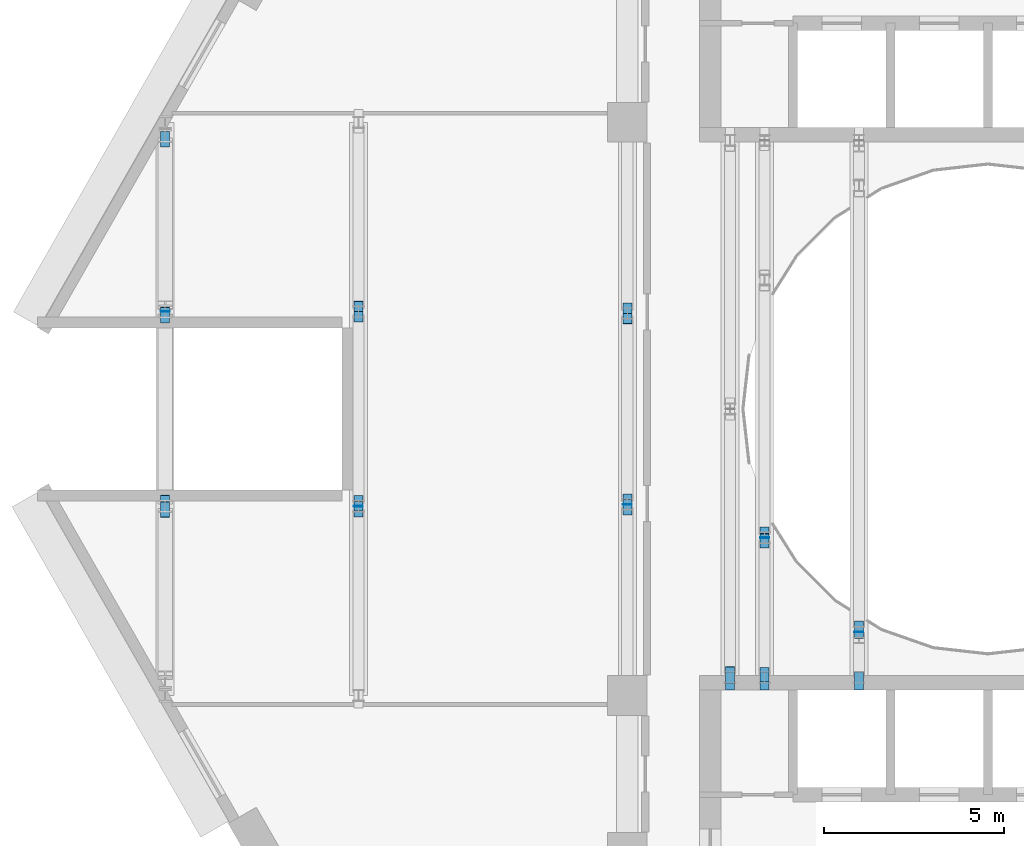
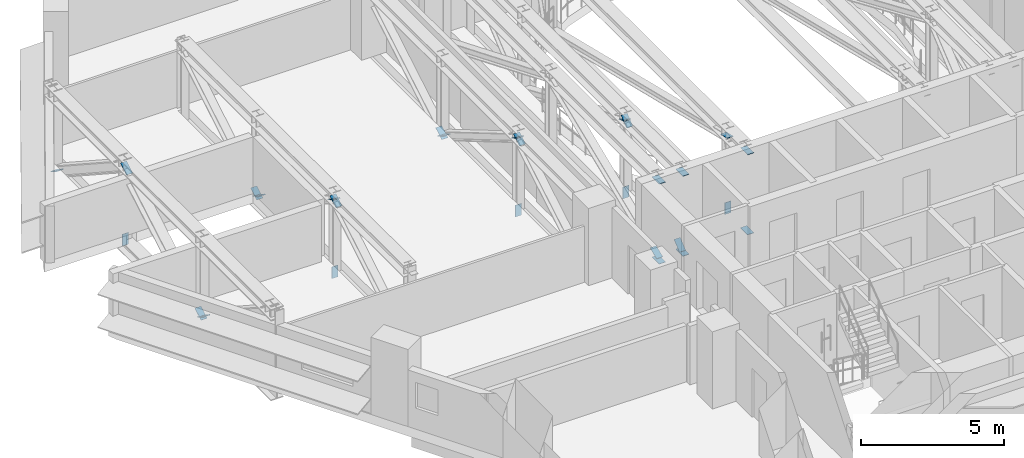
# One storey, part 12 of 18: 28 discrete accessories.
"""IFC4 building model written with IfcOpenShell, lengths in metres."""

from ifc_helpers import new_model, si_unit, direction, frame, origin, origin_2d, place, context, subcontext, project, spatial, rectangle, extrude, material, material_profile, profile_set, type_object, element, save


model = new_model("IFC4")

# Units and contexts
model_context = context("Model", 3, precision=1e-05, world=origin(), true_north=direction((0.0, 1.0)))
body_context = subcontext(model_context, "Body", "Model", "MODEL_VIEW")
ifc_project = project(units=[si_unit("LENGTHUNIT", "METRE"), si_unit("AREAUNIT", "SQUARE_METRE"), si_unit("VOLUMEUNIT", "CUBIC_METRE"), si_unit("PLANEANGLEUNIT", "RADIAN"), si_unit("MASSUNIT", "GRAM", prefix="KILO")], contexts=[model_context])

# Site, building, storey
site_placement = place(None, origin())
site = spatial("IfcSite", under=ifc_project, at=site_placement, CompositionType="ELEMENT")
building_placement = place(site_placement, origin())
building = spatial("IfcBuilding", under=site, at=building_placement, Name="Nakaniwa Court", CompositionType="ELEMENT")
storey_placement = place(building_placement, frame((0.0, 0.0, 38.10009765625)))
storey = spatial("IfcBuildingStorey", under=building, at=storey_placement, Name="L09", CompositionType="ELEMENT", Elevation=38.10009765625)

# Discrete accessories
ifc_material = material(Name="Steel Grade 350", Category="steel")
ifc_material_profile = material_profile(ifc_material, rectangle(XDim=0.25, YDim=0.02001953125, at=origin_2d()), Name="Truss end gusset plate 250x20")
ifc_profile_set = profile_set([ifc_material_profile], Name="Steel Grade 350")
discrete_accessory_type = type_object("IfcDiscreteAccessoryType", Name="Truss end gusset plate 250x20", PredefinedType="BRACKET", material=ifc_profile_set)
discrete_accessory_1_placement = place(storey_placement, frame((57.177001953125, 76.996826171875, -0.318115234375), z_axis=(0.0, 0.837493999191, -0.546446521921), x_axis=(-1.0, 0.0, 0.0)))
element("IfcDiscreteAccessory", 1, at=discrete_accessory_1_placement, inside=storey, type_object=discrete_accessory_type, Name="Gusset plate GU-001", PredefinedType="BRACKET", context=body_context, shape_type="SweptSolid", body=[
    extrude(rectangle(XDim=0.25, YDim=0.02001953125, at=origin_2d()), origin(), (0.0, 0.0, 1.0), 0.5),
])
for number, where, z_axis, x_axis, name in (
    (2, (57.177001953125, 77.60693359375, -0.324462890625), (0.0, -0.863637130858, -0.504113981361), (1.0, 0.0, 0.0), "Gusset plate GU-002"),
    (3, (57.177001953125, 82.39306640625, 2.46923828125), (0.0, 0.863637130858, 0.504113981361), (-1.0, 0.0, 0.0), "Gusset plate GU-003"),
):
    element("IfcDiscreteAccessory", number, at=place(storey_placement, frame(where, z_axis=z_axis, x_axis=x_axis)), inside=storey, type_object=discrete_accessory_type, Name=name, PredefinedType="BRACKET", context=body_context, shape_type="SweptSolid", body=[
        extrude(rectangle(XDim=0.25, YDim=0.02001953125, at=origin_2d()), origin(), (0.0, 0.0, 1.0), 0.499755859375),
    ])
for number, where, z_axis, x_axis, name in (
    (4, (57.177001953125, 87.2666015625, -0.318115234375), (0.0, 0.837493999191, -0.546446521921), (-1.0, 0.0, 0.0), "Gusset plate GU-004"),
    (5, (57.177001953125, 82.699951171875, -0.25), (0.0, 0.0, -1.0), (1.0, 0.0, 0.0), "Gusset plate GU-005"),
    (6, (62.5419921875, 77.010498046875, 2.458251953125), (0.0, 0.859211134108, 0.51162117531), (-1.0, 0.0, 0.0), "Gusset plate GU-008"),
    (7, (62.5419921875, 77.59033203125, 2.459716796875), (0.0, -0.865738136993, 0.500497230918), (1.0, 0.0, 0.0), "Gusset plate GU-009"),
    (8, (62.5419921875, 82.40966796875, -0.324951171875), (0.0, 0.865738136993, -0.500497230918), (-1.0, 0.0, 0.0), "Gusset plate GU-010"),
    (9, (62.5419921875, 82.989501953125, -0.323486328125), (0.0, -0.859425715003, -0.511260638414), (1.0, 0.0, 0.0), "Gusset plate GU-011"),
    (10, (62.5419921875, 77.300048828125, -0.25), (0.0, 0.0, -1.0), (1.0, 0.0, 0.0), "Gusset plate GU-013"),
    (11, (70.0, 77.060302734375, 2.458740234375), (0.0, 0.861431643399, 0.507873531256), (-1.0, 0.0, 0.0), "Gusset plate GU-014"),
    (12, (70.0, 77.6396484375, 2.458740234375), (0.0, -0.861431643399, 0.507873531256), (1.0, 0.0, 0.0), "Gusset plate GU-015"),
    (13, (70.0, 82.3603515625, -0.323974609375), (0.0, 0.861431643399, -0.507873531256), (-1.0, 0.0, 0.0), "Gusset plate GU-016"),
    (14, (70.0, 82.939697265625, -0.323974609375), (0.0, -0.861431643399, -0.507873531256), (1.0, 0.0, 0.0), "Gusset plate GU-017"),
    (15, (70.0, 77.35009765625, -0.25), (0.0, 0.0, -1.0), (1.0, 0.0, 0.0), "Gusset plate GU-018"),
    (16, (72.85009765625, 72.699951171875, -0.64501953125), (0.0, -1.0, 0.0), (1.0, 0.0, 0.0), "Gusset plate GU-019"),
    (17, (72.85009765625, 72.699951171875, 2.77978515625), (0.0, -1.0, 0.0), (1.0, 0.0, 0.0), "Gusset plate GU-021"),
):
    element("IfcDiscreteAccessory", number, at=place(storey_placement, frame(where, z_axis=z_axis, x_axis=x_axis)), inside=storey, type_object=discrete_accessory_type, Name=name, PredefinedType="BRACKET", context=body_context, shape_type="SweptSolid", body=[
        extrude(rectangle(XDim=0.25, YDim=0.02001953125, at=origin_2d()), origin(), (0.0, 0.0, 1.0), 0.5),
    ])
discrete_accessory_2_placement = place(storey_placement, frame((72.85009765625, 72.84912109375, -0.343017578125), z_axis=(0.0, -0.92475901499, -0.380553234378), x_axis=(1.0, 0.0, 0.0)))
element("IfcDiscreteAccessory", 18, at=discrete_accessory_2_placement, inside=storey, type_object=discrete_accessory_type, Name="Gusset plate GU-023", PredefinedType="BRACKET", context=body_context, shape_type="SweptSolid", body=[
    extrude(rectangle(XDim=0.25, YDim=0.02001953125, at=origin_2d()), origin(), (0.0, 0.0, 1.0), 0.499755859375),
])
for number, where, z_axis, x_axis, name in (
    (19, (73.807861328125, 72.699951171875, -0.64501953125), (0.0, -1.0, 0.0), (1.0, 0.0, 0.0), "Gusset plate GU-028"),
    (20, (73.807861328125, 72.699951171875, 2.77978515625), (0.0, -1.0, 0.0), (1.0, 0.0, 0.0), "Gusset plate GU-030"),
    (21, (73.807861328125, 72.826171875, -0.3046875), (0.0, -0.771055566334, -0.636767864787), (1.0, 0.0, 0.0), "Gusset plate GU-032"),
):
    element("IfcDiscreteAccessory", number, at=place(storey_placement, frame(where, z_axis=z_axis, x_axis=x_axis)), inside=storey, type_object=discrete_accessory_type, Name=name, PredefinedType="BRACKET", context=body_context, shape_type="SweptSolid", body=[
        extrude(rectangle(XDim=0.25, YDim=0.02001953125, at=origin_2d()), origin(), (0.0, 0.0, 1.0), 0.5),
    ])
for number, where, z_axis, x_axis, name in (
    (22, (73.807861328125, 76.148681640625, 2.439453125), (0.0, 0.771253454842, 0.636528167794), (-1.0, 0.0, 0.0), "Gusset plate GU-033"),
    (23, (73.807861328125, 76.723388671875, 2.4755859375), (0.0, -0.918715241067, 0.394920632318), (1.0, 0.0, 0.0), "Gusset plate GU-034"),
):
    element("IfcDiscreteAccessory", number, at=place(storey_placement, frame(where, z_axis=z_axis, x_axis=x_axis)), inside=storey, type_object=discrete_accessory_type, Name=name, PredefinedType="BRACKET", context=body_context, shape_type="SweptSolid", body=[
        extrude(rectangle(XDim=0.25, YDim=0.02001953125, at=origin_2d()), origin(), (0.0, 0.0, 1.0), 0.500244140625),
    ])
for number, where, z_axis, x_axis, name in (
    (24, (73.807861328125, 76.425048828125, -0.25), (0.0, 0.0, -1.0), (1.0, 0.0, 0.0), "Gusset plate GU-038"),
    (25, (76.425048828125, 72.699951171875, -0.64501953125), (0.0, -1.0, 0.0), (1.0, 0.0, 0.0), "Gusset plate GU-040"),
    (26, (76.425048828125, 72.699951171875, 2.77978515625), (0.0, -1.0, 0.0), (1.0, 0.0, 0.0), "Gusset plate GU-042"),
):
    element("IfcDiscreteAccessory", number, at=place(storey_placement, frame(where, z_axis=z_axis, x_axis=x_axis)), inside=storey, type_object=discrete_accessory_type, Name=name, PredefinedType="BRACKET", context=body_context, shape_type="SweptSolid", body=[
        extrude(rectangle(XDim=0.25, YDim=0.02001953125, at=origin_2d()), origin(), (0.0, 0.0, 1.0), 0.5),
    ])
discrete_accessory_3_placement = place(storey_placement, frame((76.425048828125, 74.114013671875, 2.49951171875), z_axis=(0.0, -0.971646374327, 0.236438836186), x_axis=(1.0, 0.0, 0.0)))
element("IfcDiscreteAccessory", 27, at=discrete_accessory_3_placement, inside=storey, type_object=discrete_accessory_type, Name="Gusset plate GU-044", PredefinedType="BRACKET", context=body_context, shape_type="SweptSolid", body=[
    extrude(rectangle(XDim=0.25, YDim=0.02001953125, at=origin_2d()), origin(), (0.0, 0.0, 1.0), 0.499755859375),
])
discrete_accessory_4_placement = place(storey_placement, frame((76.425048828125, 73.807861328125, -0.25), z_axis=(0.0, 0.0, -1.0), x_axis=(1.0, 0.0, 0.0)))
element("IfcDiscreteAccessory", 28, at=discrete_accessory_4_placement, inside=storey, type_object=discrete_accessory_type, Name="Gusset plate GU-046", PredefinedType="BRACKET", context=body_context, shape_type="SweptSolid", body=[
    extrude(rectangle(XDim=0.25, YDim=0.02001953125, at=origin_2d()), origin(), (0.0, 0.0, 1.0), 0.5),
])

save(model, "model.ifc")
